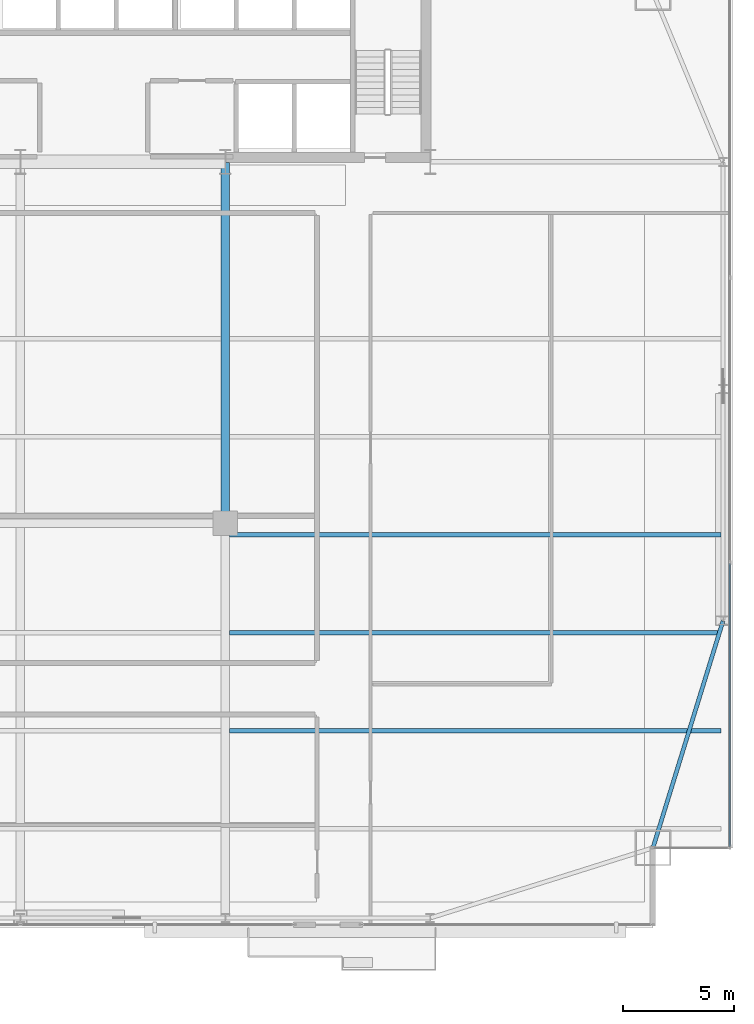
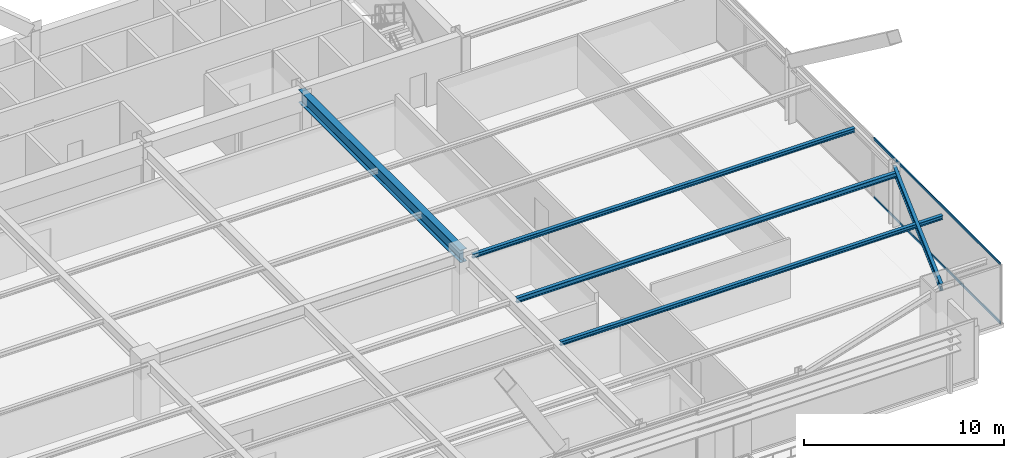
# One storey, part 15 of 34: 5 beams, 2 members, 1 element without a shape of its own.
"""IFC4 building model written with IfcOpenShell, lengths in metres."""

import ifcopenshell
import ifcopenshell.guid

model = None  # the IFC model being written
_history = None  # IfcOwnerHistory: only IFC2X3 demands one
_inside = {}  # id of a spatial element -> (the spatial element, [elements in it])
_under = {}  # id of a project, library or spatial element -> (it, [spatial elements below it])
_declared = {}  # id of a project -> (the project, [libraries it declares])
_typed = {}  # id of a type object -> (the type object, [elements of that type])
_made_of = {}  # id of a material, layer set ... -> (it, [elements and type objects made of it])


def new_model(schema):
    """Start an empty IFC model of exactly this schema.

    Asked for "IFC4X3", IfcOpenShell would pick the latest addendum, in which some entities
    have other attributes; the version numbers below select the first issue.
    IFC2X3 requires an IfcOwnerHistory on every rooted entity: one is made here for all.
    """
    global model, _history
    if schema == "IFC4X3":
        model = ifcopenshell.file(schema_version=(4, 3, 0, 0))
    else:
        model = ifcopenshell.file(schema=schema)
    _inside.clear()
    _under.clear()
    _declared.clear()
    _typed.clear()
    _made_of.clear()
    _history = None
    if model.schema == "IFC2X3":
        org = make("IfcOrganization", Name="unknown")
        user = make(
            "IfcPersonAndOrganization",
            ThePerson=make("IfcPerson", FamilyName="unknown"),
            TheOrganization=org,
        )
        app = make(
            "IfcApplication",
            ApplicationDeveloper=org,
            Version="unknown",
            ApplicationFullName="unknown",
            ApplicationIdentifier="unknown",
        )
        _history = make(
            "IfcOwnerHistory",
            OwningUser=user,
            OwningApplication=app,
            ChangeAction="ADDED",
            CreationDate=0,
        )
    return model


def make(cls, **values):
    """One entity of the class cls with the attributes given. An attribute that is None is left unset."""
    return model.create_entity(
        cls, **{name: value for name, value in values.items() if value is not None}
    )


def rooted(cls, **values):
    """An entity with a GlobalId (a new one), such as an element, a storey or a relation."""
    return make(cls, GlobalId=ifcopenshell.guid.new(), OwnerHistory=_history, **values)


def si_unit(unit_type, name, prefix=None):
    """IfcSIUnit, for example si_unit("LENGTHUNIT", "METRE", prefix="MILLI")."""
    return make("IfcSIUnit", UnitType=unit_type, Prefix=prefix, Name=name)


def assignment(units):
    """IfcUnitAssignment: the units of a project."""
    return None if units is None else make("IfcUnitAssignment", Units=units)


def point(xyz):
    """IfcCartesianPoint."""
    return None if xyz is None else make("IfcCartesianPoint", Coordinates=xyz)


def direction(xyz):
    """IfcDirection."""
    return None if xyz is None else make("IfcDirection", DirectionRatios=xyz)


def frame(location, z_axis=None, x_axis=None):
    """IfcAxis2Placement3D, a coordinate frame: its origin and axes. An axis left out is left unset."""
    return make(
        "IfcAxis2Placement3D",
        Location=point(location),
        Axis=direction(z_axis),
        RefDirection=direction(x_axis),
    )


def frame_2d(location, x_axis=None):
    """IfcAxis2Placement2D, a coordinate frame in the plane: its origin and x axis."""
    return make(
        "IfcAxis2Placement2D", Location=point(location), RefDirection=direction(x_axis)
    )


def origin():
    """The frame at (0, 0, 0) with its axes left unset."""
    return frame((0.0, 0.0, 0.0))


def origin_2d():
    """The frame at (0, 0) in the plane with its x axis left unset."""
    return frame_2d((0.0, 0.0))


def place(relative_to, where):
    """IfcLocalPlacement: puts the frame where relative to a parent placement (None: the world)."""
    return make(
        "IfcLocalPlacement", PlacementRelTo=relative_to, RelativePlacement=where
    )


def context(
    kind, dimensions, precision=None, world=None, true_north=None, identifier=None
):
    """IfcGeometricRepresentationContext, for example the 3D "Model" context."""
    return make(
        "IfcGeometricRepresentationContext",
        ContextIdentifier=identifier,
        ContextType=kind,
        CoordinateSpaceDimension=dimensions,
        Precision=precision,
        WorldCoordinateSystem=world,
        TrueNorth=true_north,
    )


def subcontext(parent, identifier, kind, view, scale=None):
    """IfcGeometricRepresentationSubContext, for example "Body" below "Model"."""
    return make(
        "IfcGeometricRepresentationSubContext",
        ContextIdentifier=identifier,
        ContextType=kind,
        ParentContext=parent,
        TargetScale=scale,
        TargetView=view,
    )


def project(units=None, contexts=None):
    """IfcProject with its units and contexts."""
    return rooted(
        "IfcProject",
        Name="project",
        RepresentationContexts=contexts,
        UnitsInContext=assignment(units),
    )


def spatial(cls, under=None, at=None, **own):
    """A site, building, storey or space (cls), placed at a placement, below another one or the project."""
    s = rooted(cls, ObjectPlacement=at, **own)
    if under is not None:
        _under.setdefault(under.id(), (under, []))[1].append(s)
    return s


def profile(cls, at=None, kind="AREA", **sizes):
    """A parametric profile (cls). Its sizes go by their IFC names, for example OverallWidth=200.0."""
    return make(cls, ProfileType=kind, Position=at, **sizes)


def hollow_rectangle(**sizes):
    """IfcRectangleHollowProfileDef."""
    return profile("IfcRectangleHollowProfileDef", **sizes)


def i_section(**sizes):
    """IfcIShapeProfileDef."""
    return profile("IfcIShapeProfileDef", **sizes)


def extrude(swept, where, along, depth):
    """IfcExtrudedAreaSolid: the profile swept, set in the frame where, extruded along a direction by depth."""
    return make(
        "IfcExtrudedAreaSolid",
        SweptArea=swept,
        Position=where,
        ExtrudedDirection=direction(along),
        Depth=depth,
    )


def shape(context_of_items, identifier, shape_type, items):
    """IfcShapeRepresentation: the items that make up one representation, for example the "Body"."""
    return make(
        "IfcShapeRepresentation",
        ContextOfItems=context_of_items,
        RepresentationIdentifier=identifier,
        RepresentationType=shape_type,
        Items=items,
    )


def source(mapping_origin, context_of_items, identifier, shape_type, items):
    """IfcRepresentationMap: a shape defined once, which mapped items show again and again."""
    return make(
        "IfcRepresentationMap",
        MappingOrigin=mapping_origin,
        MappedRepresentation=shape(context_of_items, identifier, shape_type, items),
    )


def transform(
    local_origin,
    x_axis=None,
    y_axis=None,
    z_axis=None,
    scale=None,
    scale2=None,
    scale3=None,
    uniform=True,
):
    """IfcCartesianTransformationOperator3D, or its non-uniform kind. x_axis, y_axis, z_axis: its Axis1, 2, 3."""
    if uniform:
        return make(
            "IfcCartesianTransformationOperator3D",
            Axis1=direction(x_axis),
            Axis2=direction(y_axis),
            LocalOrigin=point(local_origin),
            Scale=scale,
            Axis3=direction(z_axis),
        )
    return make(
        "IfcCartesianTransformationOperator3DnonUniform",
        Axis1=direction(x_axis),
        Axis2=direction(y_axis),
        LocalOrigin=point(local_origin),
        Scale=scale,
        Axis3=direction(z_axis),
        Scale2=scale2,
        Scale3=scale3,
    )


def mapped(mapping_source, mapping_target):
    """IfcMappedItem: shows the shape of a source again, moved by a transform."""
    return make(
        "IfcMappedItem", MappingSource=mapping_source, MappingTarget=mapping_target
    )


def material(Name=None, Category=None):
    """IfcMaterial."""
    return make("IfcMaterial", Name=Name, Category=Category)


def layer(
    of_material, thickness, ventilated=None, Name=None, Category=None, Priority=None
):
    """IfcMaterialLayer: one layer of a wall or slab, of a material (None: an air gap)."""
    return make(
        "IfcMaterialLayer",
        Material=of_material,
        LayerThickness=thickness,
        IsVentilated=ventilated,
        Name=Name,
        Category=Category,
        Priority=Priority,
    )


def layer_set(layers, Name=None):
    """IfcMaterialLayerSet."""
    return make("IfcMaterialLayerSet", MaterialLayers=layers, LayerSetName=Name)


def material_profile(
    of_material, cross_section, Name=None, Category=None, Priority=None
):
    """IfcMaterialProfile: a cross section and its material."""
    return make(
        "IfcMaterialProfile",
        Name=Name,
        Material=of_material,
        Profile=cross_section,
        Priority=Priority,
        Category=Category,
    )


def profile_set(profiles, Name=None, composite=None):
    """IfcMaterialProfileSet."""
    return make(
        "IfcMaterialProfileSet",
        Name=Name,
        MaterialProfiles=profiles,
        CompositeProfile=composite,
    )


def made_of(thing, what):
    """Note that an element or type object is made of a material, layer set ...; save() writes the relation."""
    if what is not None:
        _made_of.setdefault(what.id(), (what, []))[1].append(thing)
    return thing


def type_object(cls, material=None, **own):
    """A type object (cls), such as IfcWallType, which elements share."""
    return made_of(rooted(cls, **own), material)


def type_shapes(of_type, sources):
    """Give a type object the sources (RepresentationMaps) that its elements show as mapped items."""
    of_type.RepresentationMaps = sources


def element(
    cls,
    number,
    at=None,
    inside=None,
    cuts=None,
    type_object=None,
    material=None,
    context=None,
    identifier="Body",
    shape_type=None,
    held_by="IfcProductDefinitionShape",
    body=None,
    shapes=None,
    **own,
):
    """One element of the class cls, such as IfcWall. Its Tag is "e" and its number.

    at: its placement. inside: the storey or other place that contains it. cuts: it is an
    opening in that element (IfcRelVoidsElement). A single representation is given by context,
    identifier, shape_type and body (its items); several are given by shapes. held_by: the class
    of the entity that holds the representations. save() writes the other relations.
    """
    e = rooted(cls, Tag="e%d" % number, ObjectPlacement=at, **own)
    if body is not None:
        shapes = [shape(context, identifier, shape_type, body)]
    if shapes is not None:
        e.Representation = make(held_by, Representations=shapes)
    if inside is not None:
        _inside.setdefault(inside.id(), (inside, []))[1].append(e)
    if cuts is not None:
        rooted(
            "IfcRelVoidsElement", RelatingBuildingElement=cuts, RelatedOpeningElement=e
        )
    if type_object is not None:
        _typed.setdefault(type_object.id(), (type_object, []))[1].append(e)
    return made_of(e, material)


def aggregate(whole, parts):
    """IfcRelAggregates: a whole, such as a stair, and the parts it consists of."""
    return rooted("IfcRelAggregates", RelatingObject=whole, RelatedObjects=parts)


def save(model, path):
    """Write the relations noted so far, then the file.

    IfcRelAggregates (storeys below a building ...), IfcRelContainedInSpatialStructure (elements
    in a storey), IfcRelDefinesByType, IfcRelAssociatesMaterial and IfcRelDeclares: one each for
    every whole, place, type object, material and project.
    """
    for whole, parts in _under.values():
        aggregate(whole, parts)
    for where, things in _inside.values():
        rooted(
            "IfcRelContainedInSpatialStructure",
            RelatedElements=things,
            RelatingStructure=where,
        )
    for kind, things in _typed.values():
        rooted("IfcRelDefinesByType", RelatedObjects=things, RelatingType=kind)
    for what, things in _made_of.values():
        rooted("IfcRelAssociatesMaterial", RelatedObjects=things, RelatingMaterial=what)
    for by, libraries in _declared.values():
        rooted("IfcRelDeclares", RelatingContext=by, RelatedDefinitions=libraries)
    model.write(path)


model = new_model("IFC4")

# Units and contexts
model_context = context("Model", 3, precision=1e-05, world=origin(), true_north=direction((0.0, 1.0)))
body_context = subcontext(model_context, "Body", "Model", "MODEL_VIEW")
ifc_project = project(units=[si_unit("LENGTHUNIT", "METRE"), si_unit("AREAUNIT", "SQUARE_METRE"), si_unit("VOLUMEUNIT", "CUBIC_METRE"), si_unit("PLANEANGLEUNIT", "RADIAN"), si_unit("MASSUNIT", "GRAM", prefix="KILO")], contexts=[model_context])

# Site, building, storey
site_placement = place(None, origin())
site = spatial("IfcSite", under=ifc_project, at=site_placement, CompositionType="ELEMENT")
building_placement = place(site_placement, origin())
building = spatial("IfcBuilding", under=site, at=building_placement, Name="Varnel Quay Broadcast Tower", CompositionType="ELEMENT")
storey_placement = place(building_placement, frame((0.0, 0.0, 47.10009765625)))
storey = spatial("IfcBuildingStorey", under=building, at=storey_placement, Name="L10", CompositionType="ELEMENT", Elevation=47.10009765625)

# Beams
ifc_material_1 = material(Name="Structural Steel CSA G40.21 350W", Category="steel")
ifc_material_profile_1 = material_profile(ifc_material_1, i_section(OverallWidth=0.180908203125, OverallDepth=0.4169921875, WebThickness=0.010986328125, FlangeThickness=0.018310546875, FilletRadius=0.011962890625, at=origin_2d()), Name="W410X85")
ifc_profile_set_1 = profile_set([ifc_material_profile_1], Name="Structural Steel CSA G40.21 350W")
beam_type_1 = type_object("IfcBeamType", Name="Beam_W410X85", PredefinedType="SPANDREL", material=ifc_profile_set_1)
shared_shape_1 = source(origin(), body_context, "Body", "SweptSolid", [
    extrude(i_section(OverallWidth=0.180908203125, OverallDepth=0.4169921875, WebThickness=0.010986328125, FlangeThickness=0.018310546875, FilletRadius=0.011962890625, at=origin_2d()), origin(), (0.0, 0.0, 1.0), 10.635498046875),
])
type_shapes(beam_type_1, [shared_shape_1])
beam_1_placement = place(storey_placement, frame((62.406005859375, 4.819091796875, 3.44140625), z_axis=(0.295069676324, 0.955475738108, 0.0), x_axis=(-0.955475738108, 0.295069676324, 0.0)))
element("IfcBeam", 1, at=beam_1_placement, inside=storey, type_object=beam_type_1, Name="L10 East Spandrel MC-SE-TC-E1", PredefinedType="SPANDREL", context=body_context, shape_type="MappedRepresentation", body=[
    mapped(shared_shape_1, transform((0.0, 0.0, 0.0), x_axis=(1.0, 0.0, 0.0), y_axis=(0.0, 1.0, 0.0), z_axis=(0.0, 0.0, 1.0), scale=1.0)),
])
ifc_material_profile_2 = material_profile(ifc_material_1, i_section(OverallWidth=0.381103515625, OverallDepth=0.77294921875, WebThickness=0.0166015625, FlangeThickness=0.027587890625, FilletRadius=0.01806640625, at=origin_2d()), Name="W760X257")
ifc_profile_set_2 = profile_set([ifc_material_profile_2], Name="Structural Steel CSA G40.21 350W")
beam_type_2 = type_object("IfcBeamType", Name="Girder_W760X257", PredefinedType="BEAM", material=ifc_profile_set_2)
shared_shape_2 = source(origin(), body_context, "Body", "SweptSolid", [
    extrude(i_section(OverallWidth=0.381103515625, OverallDepth=0.77294921875, WebThickness=0.0166015625, FlangeThickness=0.027587890625, FilletRadius=0.01806640625, at=origin_2d()), origin(), (0.0, 0.0, 1.0), 16.190185546875),
])
type_shapes(beam_type_2, [shared_shape_2])
beam_2_placement = place(storey_placement, frame((43.199951171875, 19.389892578125, 3.263427734375), z_axis=(0.0, 1.0, 0.0), x_axis=(-1.0, 0.0, 0.0)))
element("IfcBeam", 2, at=beam_2_placement, inside=storey, type_object=beam_type_2, Name="L10 Primary Girder IC-02-CC-S4", PredefinedType="BEAM", context=body_context, shape_type="MappedRepresentation", body=[
    mapped(shared_shape_2, transform((0.0, 0.0, 0.0), x_axis=(1.0, 0.0, 0.0), y_axis=(0.0, 1.0, 0.0), z_axis=(0.0, 0.0, 1.0), scale=1.0)),
])
ifc_material_profile_3 = material_profile(ifc_material_1, i_section(OverallWidth=0.202880859375, OverallDepth=0.302978515625, WebThickness=0.007568359375, FlangeThickness=0.01318359375, FilletRadius=0.011962890625, at=origin_2d()), Name="W310X60")
ifc_profile_set_3 = profile_set([ifc_material_profile_3], Name="Structural Steel CSA G40.21 350W")
beam_type_3 = type_object("IfcBeamType", Name="Beam_W310X60", PredefinedType="JOIST", material=ifc_profile_set_3)
shared_shape_3 = source(origin(), body_context, "Body", "SweptSolid", [
    extrude(i_section(OverallWidth=0.202880859375, OverallDepth=0.302978515625, WebThickness=0.007568359375, FlangeThickness=0.01318359375, FilletRadius=0.011962890625, at=origin_2d()), origin(), (0.0, 0.0, 1.0), 22.0791015625),
])
type_shapes(beam_type_3, [shared_shape_3])
beam_3_placement = place(storey_placement, frame((43.385498046875, 14.449951171875, 3.498291015625), z_axis=(1.0, 0.0, 0.0), x_axis=(0.0, 1.0, 0.0)))
element("IfcBeam", 3, at=beam_3_placement, inside=storey, type_object=beam_type_3, Name="L10 East Floor Joist 3", PredefinedType="JOIST", context=body_context, shape_type="MappedRepresentation", body=[
    mapped(shared_shape_3, transform((0.0, 0.0, 0.0), x_axis=(1.0, 0.0, 0.0), y_axis=(0.0, 1.0, 0.0), z_axis=(0.0, 0.0, 1.0), scale=1.0)),
])
ifc_material_profile_4 = material_profile(ifc_material_1, i_section(OverallWidth=0.201904296875, OverallDepth=0.2470703125, WebThickness=0.00732421875, FlangeThickness=0.010986328125, FilletRadius=0.010986328125, at=origin_2d()), Name="W250X49")
ifc_profile_set_4 = profile_set([ifc_material_profile_4], Name="Structural Steel CSA G40.21 350W")
beam_type_4 = type_object("IfcBeamType", Name="Beam_W250X49", PredefinedType="JOIST", material=ifc_profile_set_4)
shared_shape_4 = source(origin(), body_context, "Body", "SweptSolid", [
    extrude(i_section(OverallWidth=0.201904296875, OverallDepth=0.2470703125, WebThickness=0.00732421875, FlangeThickness=0.010986328125, FilletRadius=0.010986328125, at=origin_2d()), origin(), (0.0, 0.0, 1.0), 22.0791015625),
])
type_shapes(beam_type_4, [shared_shape_4])
for number, where, z_axis, x_axis, name in (
    (4, (43.385498046875, 10.050048828125, 3.5263671875), (1.0, 0.0, 0.0), (0.0, 1.0, 0.0), "L10 East Floor Joist 2"),
    (5, (43.385498046875, 18.85009765625, 3.5263671875), (1.0, 0.0, 0.0), (0.0, 1.0, 0.0), "L10 East Floor Joist 4"),
):
    element("IfcBeam", number, at=place(storey_placement, frame(where, z_axis=z_axis, x_axis=x_axis)), inside=storey, type_object=beam_type_4, Name=name, PredefinedType="JOIST", context=body_context, shape_type="MappedRepresentation", body=[
        mapped(shared_shape_4, transform((0.0, 0.0, 0.0), x_axis=(1.0, 0.0, 0.0), y_axis=(0.0, 1.0, 0.0), z_axis=(0.0, 0.0, 1.0), scale=1.0)),
    ])

# Curtain wall, members
ifc_material_2 = material(Name="Anodised Bronze Aluminium 6063-T6", Category="aluminium")
ifc_layer = layer(ifc_material_2, 0.18994140625, Name="Anodised Bronze Aluminium 6063-T6")
ifc_layer_set = layer_set([ifc_layer], Name="Anodised Bronze Aluminium 6063-T6")
curtain_wall_type = type_object("IfcCurtainWallType", Name="CW_LowerTower", PredefinedType="NOTDEFINED", material=ifc_layer_set)
curtain_wall_placement = place(storey_placement, origin())
curtain_wall = element("IfcCurtainWall", 6, at=curtain_wall_placement, inside=storey, type_object=curtain_wall_type, Name="L10 East Unitised Curtain Wall", PredefinedType="NOTDEFINED")
ifc_material_profile_5 = material_profile(ifc_material_2, hollow_rectangle(XDim=0.06005859375, YDim=0.14501953125, WallThickness=0.00341796875, at=origin_2d()), Name="ALU60X145X3.5")
ifc_profile_set_5 = profile_set([ifc_material_profile_5], Name="Anodised Bronze Aluminium 6063-T6")
member_type = type_object("IfcMemberType", Name="Tran_CWS-02", PredefinedType="USERDEFINED", material=ifc_profile_set_5)
shared_shape_5 = source(origin(), body_context, "Body", "SweptSolid", [
    extrude(hollow_rectangle(XDim=0.06005859375, YDim=0.14501953125, WallThickness=0.00341796875, at=origin_2d()), origin(), (0.0, 0.0, 1.0), 12.69482421875),
])
type_shapes(member_type, [shared_shape_5])
member_1_placement = place(storey_placement, frame((65.85009765625, 4.8701171875, 0.02978515625), z_axis=(0.0, 1.0, 0.0), x_axis=(-1.0, 0.0, 0.0)))
member_1 = element("IfcMember", 7, at=member_1_placement, type_object=member_type, Name="CWS-02 transom 1.1", ObjectType="TRANSOM", PredefinedType="USERDEFINED", context=body_context, shape_type="MappedRepresentation", body=[
    mapped(shared_shape_5, transform((0.0, 0.0, 0.0), x_axis=(1.0, 0.0, 0.0), y_axis=(0.0, 1.0, 0.0), z_axis=(0.0, 0.0, 1.0), scale=1.0)),
])
member_2_placement = place(storey_placement, frame((65.85009765625, 4.8701171875, 3.619873046875), z_axis=(0.0, 1.0, 0.0), x_axis=(-1.0, 0.0, 0.0)))
member_2 = element("IfcMember", 8, at=member_2_placement, type_object=member_type, Name="CWS-02 transom 1.2", ObjectType="TRANSOM", PredefinedType="USERDEFINED", context=body_context, shape_type="MappedRepresentation", body=[
    mapped(shared_shape_5, transform((0.0, 0.0, 0.0), x_axis=(1.0, 0.0, 0.0), y_axis=(0.0, 1.0, 0.0), z_axis=(0.0, 0.0, 1.0), scale=1.0)),
])
aggregate(curtain_wall, [member_1, member_2])

save(model, "model.ifc")
